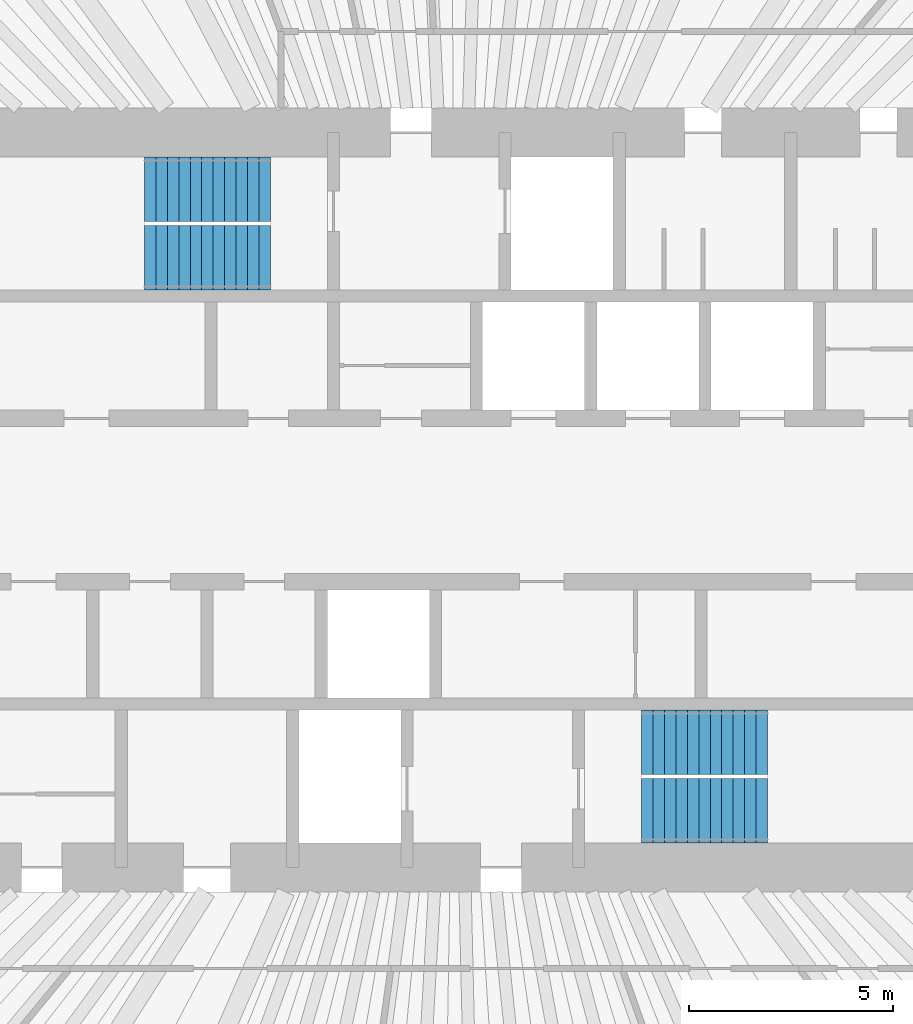
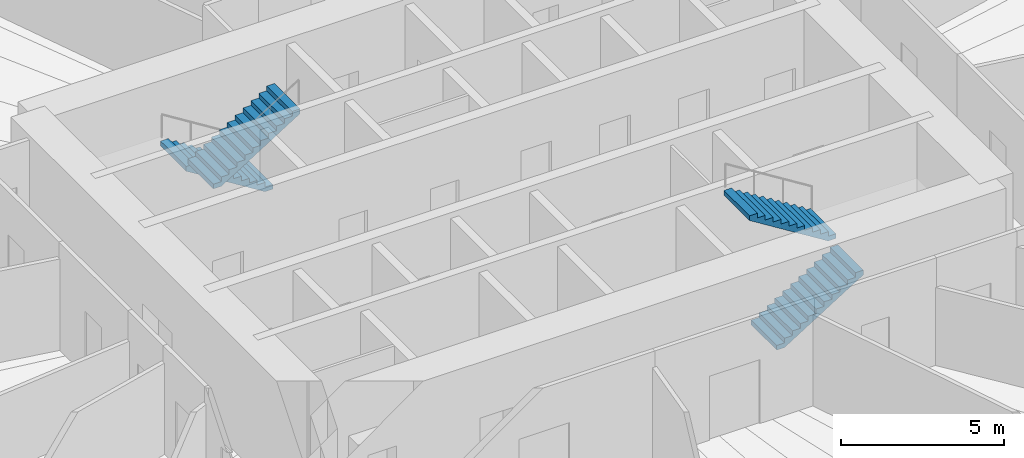
# One storey, part 13 of 14: 4 stair flights, 2 elements without a shape of their own.
"""IFC4 building model written with IfcOpenShell, lengths in metres."""

from ifc_helpers import new_model, si_unit, direction, frame, origin, place, context, subcontext, project, spatial, polyline, outline, extrude, material, type_object, element, aggregate, save


model = new_model("IFC4")

# Units and contexts
model_context = context("Model", 3, precision=1e-05, world=origin(), true_north=direction((0.0, 1.0)))
body_context = subcontext(model_context, "Body", "Model", "MODEL_VIEW")
ifc_project = project(units=[si_unit("LENGTHUNIT", "METRE"), si_unit("AREAUNIT", "SQUARE_METRE"), si_unit("VOLUMEUNIT", "CUBIC_METRE"), si_unit("PLANEANGLEUNIT", "RADIAN"), si_unit("MASSUNIT", "GRAM", prefix="KILO")], contexts=[model_context])

# Site, building, storey
site_placement = place(None, origin())
site = spatial("IfcSite", under=ifc_project, at=site_placement, CompositionType="ELEMENT")
building_placement = place(site_placement, origin())
building = spatial("IfcBuilding", under=site, at=building_placement, Name="Qingtian Harvest Tower", CompositionType="ELEMENT")
storey_placement = place(building_placement, frame((0.0, 0.0, 235.0)))
storey = spatial("IfcBuildingStorey", under=building, at=storey_placement, Name="L51", CompositionType="ELEMENT", Elevation=235.0)

# Stair, stair flights
ifc_material_1 = material(Name="Concrete fc' 35 MPa", Category="concrete")
stair_type = type_object("IfcStairType", Name="Special stair ST4 4200", PredefinedType="HALF_TURN_STAIR", material=ifc_material_1)
stair_1_placement = place(storey_placement, origin())
stair_1 = element("IfcStair", 1, at=stair_1_placement, inside=storey, type_object=stair_type, Name="Special stair S1 L51", PredefinedType="HALF_TURN_STAIR")
ifc_material_2 = material(Name="Concrete fc' 35 MPa", Category="concrete")
stair_flight_type = type_object("IfcStairFlightType", Name="Stair flight SF4 4200", PredefinedType="STRAIGHT", material=ifc_material_2)
stair_flight_1_placement = place(storey_placement, frame((-4.550048828125, 7.612548828125, 0.0), z_axis=(0.0, 0.0, 1.0), x_axis=(-1.0, 0.0, 0.0)))
stair_flight_1 = element("IfcStairFlight", 2, at=stair_flight_1_placement, type_object=stair_flight_type, Name="S1 flight 1", NumberOfRisers=12, NumberOfTreads=11, PredefinedType="STRAIGHT", RiserHeight=0.175, TreadLength=0.28, context=body_context, shape_type="SweptSolid", body=[
    extrude(outline(polyline([(0.0, 0.0), (0.0, 0.175048828125), (0.280029296875, 0.175048828125), (0.280029296875, 0.35009765625), (0.56005859375, 0.35009765625), (0.56005859375, 0.52490234375), (0.840087890625, 0.52490234375), (0.840087890625, 0.699951171875), (1.1201171875, 0.699951171875), (1.1201171875, 0.875), (1.39990234375, 0.875), (1.39990234375, 1.050048828125), (1.679931640625, 1.050048828125), (1.679931640625, 1.22509765625), (1.9599609375, 1.22509765625), (1.9599609375, 1.39990234375), (2.239990234375, 1.39990234375), (2.239990234375, 1.574951171875), (2.52001953125, 1.574951171875), (2.52001953125, 1.75), (2.800048828125, 1.75), (2.800048828125, 1.925048828125), (3.080078125, 1.925048828125), (3.080078125, 2.10009765625), (3.080078125, 1.748291015625), (0.28271484375, 0.0), (0.0, 0.0)])), frame((0.0, 0.78759765625, 0.0), z_axis=(0.0, -1.0, 0.0), x_axis=(1.0, 0.0, 0.0)), (0.0, 0.0, 1.0), 1.574951171875),
])
stair_flight_2_placement = place(storey_placement, frame((-7.6298828125, 5.9375, 2.10009765625), z_axis=(0.0, 0.0, 1.0), x_axis=(1.0, 0.0, 0.0)))
stair_flight_2 = element("IfcStairFlight", 3, at=stair_flight_2_placement, type_object=stair_flight_type, Name="S1 flight 2", NumberOfRisers=12, NumberOfTreads=11, PredefinedType="STRAIGHT", RiserHeight=0.175, TreadLength=0.28, context=body_context, shape_type="SweptSolid", body=[
    extrude(outline(polyline([(0.0, 0.0), (0.0, 0.175048828125), (0.280029296875, 0.175048828125), (0.280029296875, 0.35009765625), (0.56005859375, 0.35009765625), (0.56005859375, 0.52490234375), (0.840087890625, 0.52490234375), (0.840087890625, 0.699951171875), (1.1201171875, 0.699951171875), (1.1201171875, 0.875), (1.39990234375, 0.875), (1.39990234375, 1.050048828125), (1.679931640625, 1.050048828125), (1.679931640625, 1.22509765625), (1.9599609375, 1.22509765625), (1.9599609375, 1.39990234375), (2.239990234375, 1.39990234375), (2.239990234375, 1.574951171875), (2.52001953125, 1.574951171875), (2.52001953125, 1.75), (2.800048828125, 1.75), (2.800048828125, 1.925048828125), (3.080078125, 1.925048828125), (3.080078125, 2.10009765625), (3.080078125, 1.748291015625), (0.28271484375, 0.0), (0.0, 0.0)])), frame((0.0, 0.78759765625, 0.0), z_axis=(0.0, -1.0, 0.0), x_axis=(1.0, 0.0, 0.0)), (0.0, 0.0, 1.0), 1.574951171875),
])
aggregate(stair_1, [stair_flight_1, stair_flight_2])

stair_2_placement = place(storey_placement, origin())
stair_2 = element("IfcStair", 4, at=stair_2_placement, inside=storey, type_object=stair_type, Name="Special stair S2 L51", PredefinedType="HALF_TURN_STAIR")
stair_flight_3_placement = place(storey_placement, frame((4.550048828125, -7.612548828125, 0.0), z_axis=(0.0, 0.0, 1.0), x_axis=(1.0, 0.0, 0.0)))
stair_flight_3 = element("IfcStairFlight", 5, at=stair_flight_3_placement, type_object=stair_flight_type, Name="S2 flight 1", NumberOfRisers=12, NumberOfTreads=11, PredefinedType="STRAIGHT", RiserHeight=0.175, TreadLength=0.28, context=body_context, shape_type="SweptSolid", body=[
    extrude(outline(polyline([(0.0, 0.0), (0.0, 0.175048828125), (0.280029296875, 0.175048828125), (0.280029296875, 0.35009765625), (0.56005859375, 0.35009765625), (0.56005859375, 0.52490234375), (0.840087890625, 0.52490234375), (0.840087890625, 0.699951171875), (1.1201171875, 0.699951171875), (1.1201171875, 0.875), (1.39990234375, 0.875), (1.39990234375, 1.050048828125), (1.679931640625, 1.050048828125), (1.679931640625, 1.22509765625), (1.9599609375, 1.22509765625), (1.9599609375, 1.39990234375), (2.239990234375, 1.39990234375), (2.239990234375, 1.574951171875), (2.52001953125, 1.574951171875), (2.52001953125, 1.75), (2.800048828125, 1.75), (2.800048828125, 1.925048828125), (3.080078125, 1.925048828125), (3.080078125, 2.10009765625), (3.080078125, 1.748291015625), (0.28271484375, 0.0), (0.0, 0.0)])), frame((0.0, 0.78759765625, 0.0), z_axis=(0.0, -1.0, 0.0), x_axis=(1.0, 0.0, 0.0)), (0.0, 0.0, 1.0), 1.574951171875),
])
stair_flight_4_placement = place(storey_placement, frame((7.6298828125, -5.9375, 2.10009765625), z_axis=(0.0, 0.0, 1.0), x_axis=(-1.0, 0.0, 0.0)))
stair_flight_4 = element("IfcStairFlight", 6, at=stair_flight_4_placement, type_object=stair_flight_type, Name="S2 flight 2", NumberOfRisers=12, NumberOfTreads=11, PredefinedType="STRAIGHT", RiserHeight=0.175, TreadLength=0.28, context=body_context, shape_type="SweptSolid", body=[
    extrude(outline(polyline([(0.0, 0.0), (0.0, 0.175048828125), (0.280029296875, 0.175048828125), (0.280029296875, 0.35009765625), (0.56005859375, 0.35009765625), (0.56005859375, 0.52490234375), (0.840087890625, 0.52490234375), (0.840087890625, 0.699951171875), (1.1201171875, 0.699951171875), (1.1201171875, 0.875), (1.39990234375, 0.875), (1.39990234375, 1.050048828125), (1.679931640625, 1.050048828125), (1.679931640625, 1.22509765625), (1.9599609375, 1.22509765625), (1.9599609375, 1.39990234375), (2.239990234375, 1.39990234375), (2.239990234375, 1.574951171875), (2.52001953125, 1.574951171875), (2.52001953125, 1.75), (2.800048828125, 1.75), (2.800048828125, 1.925048828125), (3.080078125, 1.925048828125), (3.080078125, 2.10009765625), (3.080078125, 1.748291015625), (0.28271484375, 0.0), (0.0, 0.0)])), frame((0.0, 0.78759765625, 0.0), z_axis=(0.0, -1.0, 0.0), x_axis=(1.0, 0.0, 0.0)), (0.0, 0.0, 1.0), 1.574951171875),
])
aggregate(stair_2, [stair_flight_3, stair_flight_4])

save(model, "model.ifc")
